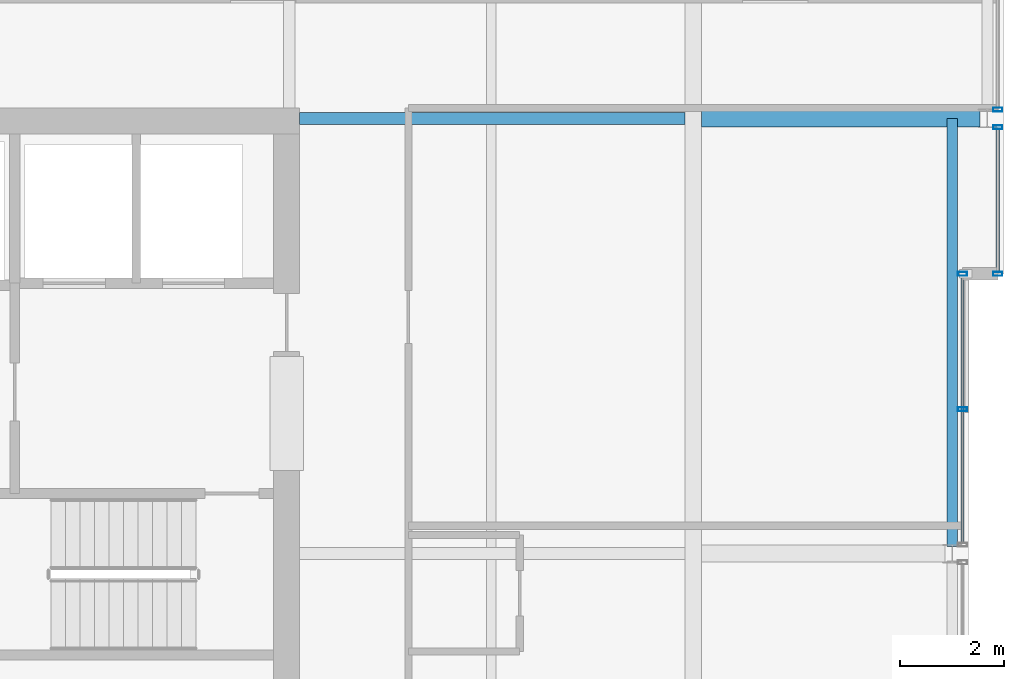
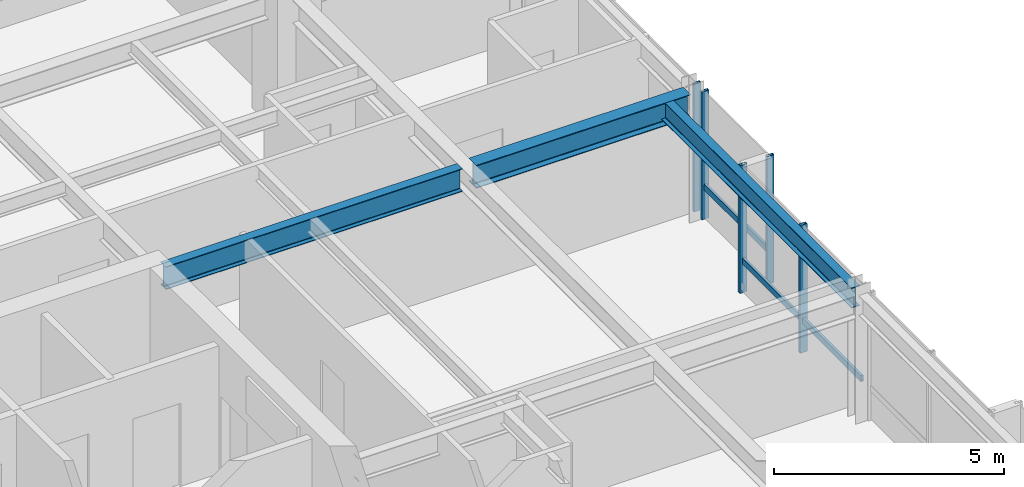
# One storey, part 19 of 33: 7 members, 3 beams, 3 elements without a shape of their own.
"""IFC4 building model written with IfcOpenShell, lengths in metres."""

from ifc_helpers import new_model, si_unit, direction, frame, origin, origin_2d, place, context, subcontext, project, spatial, hollow_rectangle, i_section, extrude, material, layer, layer_set, material_profile, profile_set, type_object, element, aggregate, save


model = new_model("IFC4")

# Units and contexts
model_context = context("Model", 3, precision=1e-05, world=origin(), true_north=direction((0.0, 1.0)))
body_context = subcontext(model_context, "Body", "Model", "MODEL_VIEW")
ifc_project = project(units=[si_unit("LENGTHUNIT", "METRE"), si_unit("AREAUNIT", "SQUARE_METRE"), si_unit("VOLUMEUNIT", "CUBIC_METRE"), si_unit("PLANEANGLEUNIT", "RADIAN"), si_unit("MASSUNIT", "GRAM", prefix="KILO")], contexts=[model_context])

# Site, building, storey
site_placement = place(None, origin())
site = spatial("IfcSite", under=ifc_project, at=site_placement, CompositionType="ELEMENT")
building_placement = place(site_placement, origin())
building = spatial("IfcBuilding", under=site, at=building_placement, Name="Drelvath Grand Hotel", CompositionType="ELEMENT")
storey_placement = place(building_placement, frame((0.0, 0.0, 279.60009765625)))
storey = spatial("IfcBuildingStorey", under=building, at=storey_placement, Name="L73", CompositionType="ELEMENT", Elevation=279.60009765625)

# Curtain wall, member
ifc_material_1 = material(Name="Platinum-Mist Anodised Aluminium Frame", Category="aluminium")
ifc_layer = layer(ifc_material_1, 0.199951171875)
ifc_layer_set = layer_set([ifc_layer], Name="Platinum-Mist Anodised Aluminium Frame")
curtain_wall_type = type_object("IfcCurtainWallType", Name="Stick Curtain Wall CW-05 Platinum Mist High-Rise", PredefinedType="NOTDEFINED", material=ifc_layer_set)
curtain_wall_1_placement = place(storey_placement, origin())
curtain_wall_1 = element("IfcCurtainWall", 1, at=curtain_wall_1_placement, inside=storey, type_object=curtain_wall_type, Name="L73 CW-05 Curtain Wall CW05-L73-EN1", PredefinedType="NOTDEFINED")
ifc_material_profile_1 = material_profile(ifc_material_1, hollow_rectangle(XDim=0.06494140625, YDim=0.159912109375, WallThickness=0.00390625, at=origin_2d()), Name="HSS160X65X4")
ifc_profile_set_1 = profile_set([ifc_material_profile_1], Name="Platinum-Mist Anodised Aluminium Frame")
member_type_1 = type_object("IfcMemberType", Name="Curtain Wall Horizontal Transom CW-05 HSS160X65X4", PredefinedType="USERDEFINED", material=ifc_profile_set_1)
member_1_placement = place(storey_placement, frame((22.080078125, 35.18994140625, 0.847412109375), z_axis=(0.0, -1.0, 0.0), x_axis=(1.0, 0.0, 0.0)))
member_1 = element("IfcMember", 2, at=member_1_placement, type_object=member_type_1, Name="CW05-L73-EN1 Sill Transom", ObjectType="TRANSOM", PredefinedType="USERDEFINED", context=body_context, shape_type="SweptSolid", body=[
    extrude(hollow_rectangle(XDim=0.06494140625, YDim=0.159912109375, WallThickness=0.00390625, at=origin_2d()), origin(), (0.0, 0.0, 1.0), 2.75),
])

curtain_wall_2_placement = place(storey_placement, origin())
curtain_wall_2 = element("IfcCurtainWall", 3, at=curtain_wall_2_placement, inside=storey, type_object=curtain_wall_type, Name="L73 CW-05 Curtain Wall CW05-L73-EM2", PredefinedType="NOTDEFINED")
member_2_placement = place(storey_placement, frame((21.39990234375, 32.360107421875, 0.847412109375), z_axis=(0.0, -1.0, 0.0), x_axis=(1.0, 0.0, 0.0)))
member_2 = element("IfcMember", 4, at=member_2_placement, type_object=member_type_1, Name="CW05-L73-EM2 Sill Transom", ObjectType="TRANSOM", PredefinedType="USERDEFINED", context=body_context, shape_type="SweptSolid", body=[
    extrude(hollow_rectangle(XDim=0.06494140625, YDim=0.159912109375, WallThickness=0.00390625, at=origin_2d()), origin(), (0.0, 0.0, 1.0), 5.150146484375),
])

# Member
ifc_material_profile_2 = material_profile(ifc_material_1, hollow_rectangle(XDim=0.074951171875, YDim=0.179931640625, WallThickness=0.0048828125, at=origin_2d()), Name="HSS180X75X5")
ifc_profile_set_2 = profile_set([ifc_material_profile_2], Name="Platinum-Mist Anodised Aluminium Frame")
member_type_2 = type_object("IfcMemberType", Name="Curtain Wall Vertical Mullion CW-05 HSS180X75X5", PredefinedType="MULLION", material=ifc_profile_set_2)
member_3_placement = place(storey_placement, frame((22.080078125, 35.22998046875, 0.0), z_axis=(0.0, 0.0, 1.0), x_axis=(0.0, 1.0, 0.0)))
member_3 = element("IfcMember", 5, at=member_3_placement, type_object=member_type_2, Name="CW05-L73-EN1 Mullion 1", PredefinedType="MULLION", context=body_context, shape_type="SweptSolid", body=[
    extrude(hollow_rectangle(XDim=0.074951171875, YDim=0.179931640625, WallThickness=0.0048828125, at=origin_2d()), origin(), (0.0, 0.0, 1.0), 3.389892578125),
])

member_4_placement = place(storey_placement, frame((22.080078125, 32.39990234375, 0.0), z_axis=(0.0, 0.0, 1.0), x_axis=(0.0, 1.0, 0.0)))
member_4 = element("IfcMember", 6, at=member_4_placement, type_object=member_type_2, Name="CW05-L73-EN1 Mullion 2", PredefinedType="MULLION", context=body_context, shape_type="SweptSolid", body=[
    extrude(hollow_rectangle(XDim=0.074951171875, YDim=0.179931640625, WallThickness=0.0048828125, at=origin_2d()), origin(), (0.0, 0.0, 1.0), 3.389892578125),
])

aggregate(curtain_wall_1, [member_3, member_4, member_1])

# Curtain wall, member
curtain_wall_3_placement = place(storey_placement, origin())
curtain_wall_3 = element("IfcCurtainWall", 7, at=curtain_wall_3_placement, inside=storey, type_object=curtain_wall_type, Name="L73 CW-05 Curtain Wall CW05-L73-EN2", PredefinedType="NOTDEFINED")
member_5_placement = place(storey_placement, frame((22.080078125, 35.570068359375, 0.0), z_axis=(0.0, 0.0, 1.0), x_axis=(0.0, 1.0, 0.0)))
member_5 = element("IfcMember", 8, at=member_5_placement, type_object=member_type_2, Name="CW05-L73-EN2 Mullion 3", PredefinedType="MULLION", context=body_context, shape_type="SweptSolid", body=[
    extrude(hollow_rectangle(XDim=0.074951171875, YDim=0.179931640625, WallThickness=0.0048828125, at=origin_2d()), origin(), (0.0, 0.0, 1.0), 3.389892578125),
])
aggregate(curtain_wall_3, [member_5])

# Member
member_6_placement = place(storey_placement, frame((21.39990234375, 32.39990234375, 0.0), z_axis=(0.0, 0.0, 1.0), x_axis=(0.0, 1.0, 0.0)))
member_6 = element("IfcMember", 9, at=member_6_placement, type_object=member_type_2, Name="CW05-L73-EM2 Mullion 1", PredefinedType="MULLION", context=body_context, shape_type="SweptSolid", body=[
    extrude(hollow_rectangle(XDim=0.074951171875, YDim=0.179931640625, WallThickness=0.0048828125, at=origin_2d()), origin(), (0.0, 0.0, 1.0), 3.389892578125),
])

member_7_placement = place(storey_placement, frame((21.39990234375, 29.784912109375, 0.0), z_axis=(0.0, 0.0, 1.0), x_axis=(0.0, 1.0, 0.0)))
member_7 = element("IfcMember", 10, at=member_7_placement, type_object=member_type_2, Name="CW05-L73-EM2 Mullion 2", PredefinedType="MULLION", context=body_context, shape_type="SweptSolid", body=[
    extrude(hollow_rectangle(XDim=0.074951171875, YDim=0.179931640625, WallThickness=0.0048828125, at=origin_2d()), origin(), (0.0, 0.0, 1.0), 3.389892578125),
])

aggregate(curtain_wall_2, [member_6, member_7, member_2])

# Beams
ifc_material_2 = material(Name="Steel ASTM A992 Gr 50", Category="steel")
ifc_material_profile_3 = material_profile(ifc_material_2, i_section(OverallWidth=0.210205078125, OverallDepth=0.53662109375, WebThickness=0.010986328125, FlangeThickness=0.017333984375, FilletRadius=0.01806640625, at=origin_2d()), Name="W21X68")
ifc_profile_set_3 = profile_set([ifc_material_profile_3], Name="Steel ASTM A992 Gr 50")
beam_type_1 = type_object("IfcBeamType", Name="Perimeter Spandrel Beam W21X68", PredefinedType="SPANDREL", material=ifc_profile_set_3)
beam_1_placement = place(storey_placement, frame((21.199951171875, 27.139892578125, 3.12158203125), z_axis=(0.0, 1.0, 0.0), x_axis=(-1.0, 0.0, 0.0)))
element("IfcBeam", 11, at=beam_1_placement, inside=storey, type_object=beam_type_1, Name="L73 Spandrel East Mid N", PredefinedType="SPANDREL", context=body_context, shape_type="SweptSolid", body=[
    extrude(i_section(OverallWidth=0.210205078125, OverallDepth=0.53662109375, WebThickness=0.010986328125, FlangeThickness=0.017333984375, FilletRadius=0.01806640625, at=origin_2d()), origin(), (0.0, 0.0, 1.0), 8.260009765625),
])
ifc_material_profile_4 = material_profile(ifc_material_2, i_section(OverallWidth=0.323974609375, OverallDepth=0.611083984375, WebThickness=0.0126953125, FlangeThickness=0.01904296875, FilletRadius=0.02197265625, at=origin_2d()), Name="W24X104")
ifc_profile_set_4 = profile_set([ifc_material_profile_4], Name="Steel ASTM A992 Gr 50")
beam_type_2 = type_object("IfcBeamType", Name="Primary Floor Girder W24X104", PredefinedType="BEAM", material=ifc_profile_set_4)
beam_2_placement = place(storey_placement, frame((16.362060546875, 35.39990234375, 3.08447265625), z_axis=(1.0, 0.0, 0.0), x_axis=(0.0, 1.0, 0.0)))
element("IfcBeam", 12, at=beam_2_placement, inside=storey, type_object=beam_type_2, Name="L73 East Wing Girder F", PredefinedType="BEAM", context=body_context, shape_type="SweptSolid", body=[
    extrude(i_section(OverallWidth=0.323974609375, OverallDepth=0.611083984375, WebThickness=0.0126953125, FlangeThickness=0.01904296875, FilletRadius=0.02197265625, at=origin_2d()), origin(), (0.0, 0.0, 1.0), 5.3779296875),
])
ifc_material_profile_5 = material_profile(ifc_material_2, i_section(OverallWidth=0.228271484375, OverallDepth=0.607666015625, WebThickness=0.01123046875, FlangeThickness=0.017333984375, FilletRadius=0.02001953125, at=origin_2d()), Name="W24X76")
ifc_profile_set_5 = profile_set([ifc_material_profile_5], Name="Steel ASTM A992 Gr 50")
beam_type_3 = type_object("IfcBeamType", Name="Primary Floor Girder W24X76", PredefinedType="BEAM", material=ifc_profile_set_5)
beam_3_placement = place(storey_placement, frame((8.60009765625, 35.39990234375, 3.086181640625), z_axis=(1.0, 0.0, 0.0), x_axis=(0.0, 1.0, 0.0)))
element("IfcBeam", 13, at=beam_3_placement, inside=storey, type_object=beam_type_3, Name="L73 East Core Tie F", PredefinedType="BEAM", context=body_context, shape_type="SweptSolid", body=[
    extrude(i_section(OverallWidth=0.228271484375, OverallDepth=0.607666015625, WebThickness=0.01123046875, FlangeThickness=0.017333984375, FilletRadius=0.02001953125, at=origin_2d()), origin(), (0.0, 0.0, 1.0), 7.43798828125),
])

save(model, "model.ifc")
